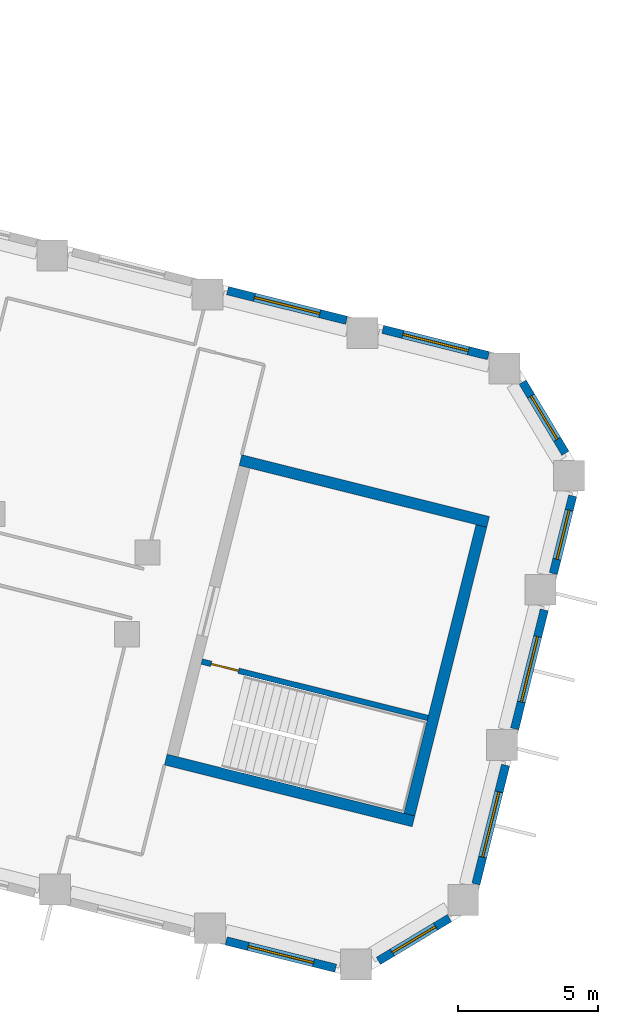
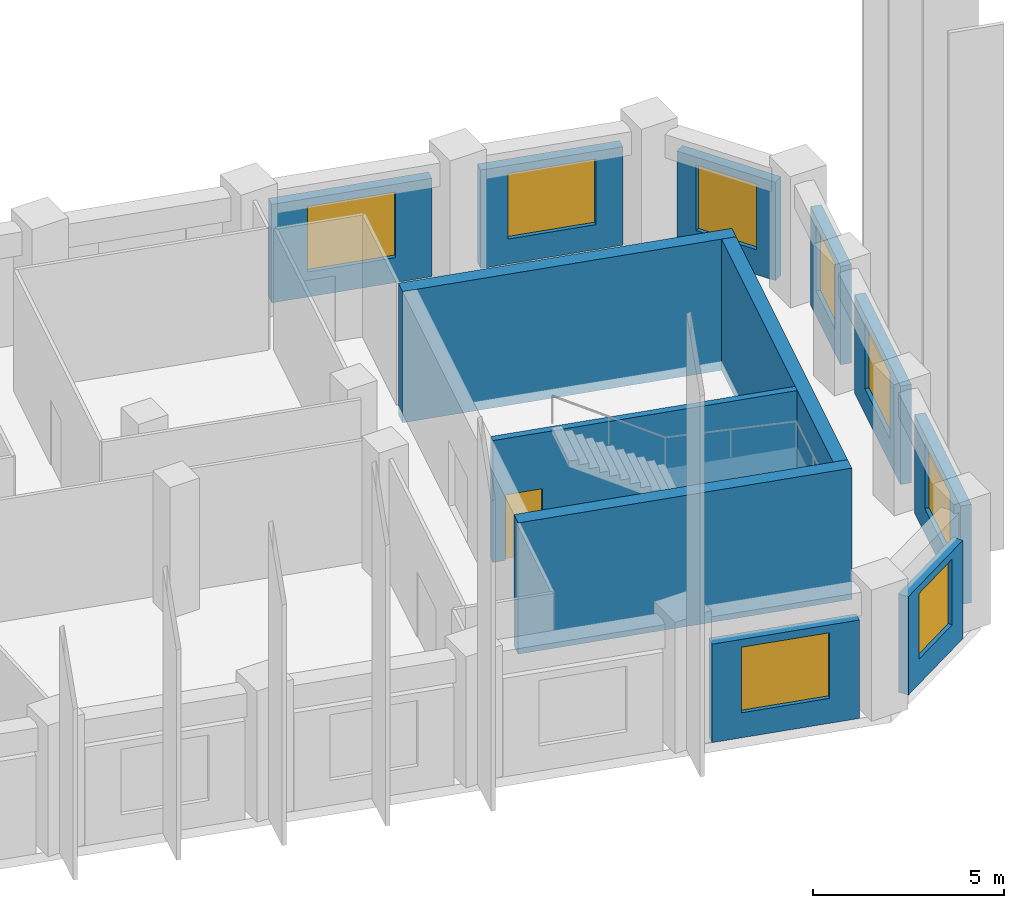
# One storey, part 7 of 10: 12 walls, 8 windows, 1 door, 9 openings.
"""IFC4 building model written with IfcOpenShell, lengths in metres."""

from ifc_helpers import new_model, si_unit, direction, frame, frame_2d, origin, place, context, subcontext, project, spatial, rectangle, extrude, material, layer, layer_set, type_object, element, fill, save


model = new_model("IFC4")

# Units and contexts
model_context = context("Model", 3, precision=1e-05, world=origin(), true_north=direction((0.0, 1.0)))
body_context = subcontext(model_context, "Body", "Model", "MODEL_VIEW")
ifc_project = project(units=[si_unit("LENGTHUNIT", "METRE"), si_unit("AREAUNIT", "SQUARE_METRE"), si_unit("VOLUMEUNIT", "CUBIC_METRE"), si_unit("PLANEANGLEUNIT", "RADIAN"), si_unit("MASSUNIT", "GRAM", prefix="KILO")], contexts=[model_context])

# Site, building, storey
site_placement = place(None, origin())
site = spatial("IfcSite", under=ifc_project, at=site_placement, CompositionType="ELEMENT")
building_placement = place(site_placement, origin())
building = spatial("IfcBuilding", under=site, at=building_placement, Name="Meshkara Civic Tower", CompositionType="ELEMENT")
storey_placement = place(building_placement, frame((0.0, 0.0, 259.199951171875)))
storey = spatial("IfcBuildingStorey", under=building, at=storey_placement, Name="L59", CompositionType="ELEMENT", Elevation=259.199951171875)

# Wall, opening, window
ifc_material_1 = material(Name="Insulated infill panel with bronze anodised aluminium cladding", Category="aluminium")
ifc_layer_1 = layer(ifc_material_1, 0.300048828125)
ifc_layer_set_1 = layer_set([ifc_layer_1], Name="EXTERNAL INFILL WALL 300")
wall_type_1 = type_object("IfcWallType", Name="EXTERNAL INFILL WALL 300", PredefinedType="SOLIDWALL", material=ifc_layer_set_1)
wall_1_placement = place(storey_placement, frame((71.02001953125, 5.635986328125, 0.0), z_axis=(0.0, 0.0, 1.0), x_axis=(-0.970297701374, 0.241913973777, 0.0)))
wall_1 = element("IfcWall", 1, at=wall_1_placement, inside=storey, type_object=wall_type_1, Name="External wall", PredefinedType="SOLIDWALL", context=body_context, shape_type="SweptSolid", body=[
    extrude(rectangle(XDim=3.88134765625, YDim=0.300048828125, at=frame_2d((1.940673828125, 0.0))), origin(), (0.0, 0.0, 1.0), 3.150146484375),
])
opening_1_placement = place(wall_1_placement, frame((0.740966796875, 0.0, 0.800048828125)))
opening_1 = element("IfcOpeningElement", 2, at=opening_1_placement, cuts=wall_1, Name="Opening W7", PredefinedType="OPENING", context=body_context, shape_type="SweptSolid", body=[
    extrude(rectangle(XDim=2.39990234375, YDim=2.10009765625, at=frame_2d((1.199951171875, 1.050048828125))), frame((0.0, 0.159912109375, 0.0), z_axis=(0.0, -1.0, 0.0), x_axis=(1.0, 0.0, 0.0)), (0.0, 0.0, 1.0), 0.320068359375),
])
ifc_material_2 = material(Name="Tinted double glazing", Category="glass")
window_type_1 = type_object("IfcWindowType", Name="WINDOW 2400x2100", PartitioningType="DOUBLE_PANEL_VERTICAL", PredefinedType="WINDOW", material=ifc_material_2)
window_1_placement = place(opening_1_placement, origin())
window_1 = element("IfcWindow", 3, at=window_1_placement, inside=storey, type_object=window_type_1, Name="Window", OverallHeight=2.10009765625, OverallWidth=2.39990234375, PartitioningType="DOUBLE_PANEL_VERTICAL", PredefinedType="WINDOW", context=body_context, shape_type="SweptSolid", body=[
    extrude(rectangle(XDim=2.39990234375, YDim=2.10009765625, at=frame_2d((1.199951171875, 1.050048828125))), frame((0.0, 0.030029296875, 0.0), z_axis=(0.0, -1.0, 0.0), x_axis=(1.0, 0.0, 0.0)), (0.0, 0.0, 1.0), 0.06005859375),
])
fill(opening_1, window_1)

wall_2_placement = place(storey_placement, frame((65.9599609375, 6.89794921875, 0.0), z_axis=(0.0, 0.0, 1.0), x_axis=(-0.970309996763, 0.241864652607, 0.0)))
wall_2 = element("IfcWall", 4, at=wall_2_placement, inside=storey, type_object=wall_type_1, Name="External wall", PredefinedType="SOLIDWALL", context=body_context, shape_type="SweptSolid", body=[
    extrude(rectangle(XDim=4.36669921875, YDim=0.300048828125, at=frame_2d((2.183349609375, 0.0))), origin(), (0.0, 0.0, 1.0), 3.150146484375),
])
opening_2_placement = place(wall_2_placement, frame((0.98291015625, 0.0, 0.800048828125)))
opening_2 = element("IfcOpeningElement", 5, at=opening_2_placement, cuts=wall_2, Name="Opening W7", PredefinedType="OPENING", context=body_context, shape_type="SweptSolid", body=[
    extrude(rectangle(XDim=2.39990234375, YDim=2.10009765625, at=frame_2d((1.199951171875, 1.050048828125))), frame((0.0, 0.159912109375, 0.0), z_axis=(0.0, -1.0, 0.0), x_axis=(1.0, 0.0, 0.0)), (0.0, 0.0, 1.0), 0.320068359375),
])
window_2_placement = place(opening_2_placement, origin())
window_2 = element("IfcWindow", 6, at=window_2_placement, inside=storey, type_object=window_type_1, Name="Window", OverallHeight=2.10009765625, OverallWidth=2.39990234375, PartitioningType="DOUBLE_PANEL_VERTICAL", PredefinedType="WINDOW", context=body_context, shape_type="SweptSolid", body=[
    extrude(rectangle(XDim=2.39990234375, YDim=2.10009765625, at=frame_2d((1.199951171875, 1.050048828125))), frame((0.0, 0.030029296875, 0.0), z_axis=(0.0, -1.0, 0.0), x_axis=(1.0, 0.0, 0.0)), (0.0, 0.0, 1.0), 0.06005859375),
])
fill(opening_2, window_2)

wall_3_placement = place(storey_placement, frame((61.6708984375, -15.220947265625, 0.0), z_axis=(0.0, 0.0, 1.0), x_axis=(0.97026726112, -0.242036034503, 0.0)))
wall_3 = element("IfcWall", 7, at=wall_3_placement, inside=storey, type_object=wall_type_1, Name="External wall", PredefinedType="SOLIDWALL", context=body_context, shape_type="SweptSolid", body=[
    extrude(rectangle(XDim=4.024658203125, YDim=0.300048828125, at=frame_2d((2.01220703125, 0.0))), origin(), (0.0, 0.0, 1.0), 3.150146484375),
])
opening_3_placement = place(wall_3_placement, frame((0.81201171875, 0.0, 0.800048828125)))
opening_3 = element("IfcOpeningElement", 8, at=opening_3_placement, cuts=wall_3, Name="Opening W7", PredefinedType="OPENING", context=body_context, shape_type="SweptSolid", body=[
    extrude(rectangle(XDim=2.39990234375, YDim=2.10009765625, at=frame_2d((1.199951171875, 1.050048828125))), frame((0.0, 0.159912109375, 0.0), z_axis=(0.0, -1.0, 0.0), x_axis=(1.0, 0.0, 0.0)), (0.0, 0.0, 1.0), 0.320068359375),
])
window_3_placement = place(opening_3_placement, origin())
window_3 = element("IfcWindow", 9, at=window_3_placement, inside=storey, type_object=window_type_1, Name="Window", OverallHeight=2.10009765625, OverallWidth=2.39990234375, PartitioningType="DOUBLE_PANEL_VERTICAL", PredefinedType="WINDOW", context=body_context, shape_type="SweptSolid", body=[
    extrude(rectangle(XDim=2.39990234375, YDim=2.10009765625, at=frame_2d((1.199951171875, 1.050048828125))), frame((0.0, 0.030029296875, 0.0), z_axis=(0.0, -1.0, 0.0), x_axis=(1.0, 0.0, 0.0)), (0.0, 0.0, 1.0), 0.06005859375),
])
fill(opening_3, window_3)

wall_4_placement = place(storey_placement, frame((67.097900390625, -15.93408203125, 0.0), z_axis=(0.0, 0.0, 1.0), x_axis=(0.857077006791, 0.515188319384, 0.0)))
wall_4 = element("IfcWall", 10, at=wall_4_placement, inside=storey, type_object=wall_type_1, Name="External wall", PredefinedType="SOLIDWALL", context=body_context, shape_type="SweptSolid", body=[
    extrude(rectangle(XDim=2.9541015625, YDim=0.300048828125, at=frame_2d((1.47705078125, 0.0))), origin(), (0.0, 0.0, 1.0), 3.150146484375),
])
opening_4_placement = place(wall_4_placement, frame((0.576904296875, 0.0, 0.800048828125)))
opening_4 = element("IfcOpeningElement", 11, at=opening_4_placement, cuts=wall_4, Name="Opening W9", PredefinedType="OPENING", context=body_context, shape_type="SweptSolid", body=[
    extrude(rectangle(XDim=1.800048828125, YDim=2.10009765625, at=frame_2d((0.89990234375, 1.050048828125))), frame((0.0, 0.159912109375, 0.0), z_axis=(0.0, -1.0, 0.0), x_axis=(1.0, 0.0, 0.0)), (0.0, 0.0, 1.0), 0.320068359375),
])
ifc_material_3 = material(Name="Tinted double glazing", Category="glass")
window_type_2 = type_object("IfcWindowType", Name="WINDOW 1800x2100", PartitioningType="DOUBLE_PANEL_VERTICAL", PredefinedType="WINDOW", material=ifc_material_3)
window_4_placement = place(opening_4_placement, origin())
window_4 = element("IfcWindow", 12, at=window_4_placement, inside=storey, type_object=window_type_2, Name="Window", OverallHeight=2.10009765625, OverallWidth=1.800048828125, PartitioningType="DOUBLE_PANEL_VERTICAL", PredefinedType="WINDOW", context=body_context, shape_type="SweptSolid", body=[
    extrude(rectangle(XDim=1.800048828125, YDim=2.10009765625, at=frame_2d((0.89990234375, 1.050048828125))), frame((0.0, 0.030029296875, 0.0), z_axis=(0.0, -1.0, 0.0), x_axis=(1.0, 0.0, 0.0)), (0.0, 0.0, 1.0), 0.06005859375),
])
fill(opening_4, window_4)

wall_5_placement = place(storey_placement, frame((70.574951171875, -13.19189453125, 0.0), z_axis=(0.0, 0.0, 1.0), x_axis=(0.241877774353, 0.970306725873, 0.0)))
wall_5 = element("IfcWall", 13, at=wall_5_placement, inside=storey, type_object=wall_type_1, Name="External wall", PredefinedType="SOLIDWALL", context=body_context, shape_type="SweptSolid", body=[
    extrude(rectangle(XDim=4.366455078125, YDim=0.300048828125, at=frame_2d((2.18310546875, 0.0))), origin(), (0.0, 0.0, 1.0), 3.150146484375),
])
opening_5_placement = place(wall_5_placement, frame((0.98291015625, 0.0, 0.800048828125)))
opening_5 = element("IfcOpeningElement", 14, at=opening_5_placement, cuts=wall_5, Name="Opening W7", PredefinedType="OPENING", context=body_context, shape_type="SweptSolid", body=[
    extrude(rectangle(XDim=2.39990234375, YDim=2.10009765625, at=frame_2d((1.199951171875, 1.050048828125))), frame((0.0, 0.159912109375, 0.0), z_axis=(0.0, -1.0, 0.0), x_axis=(1.0, 0.0, 0.0)), (0.0, 0.0, 1.0), 0.320068359375),
])
window_5_placement = place(opening_5_placement, origin())
window_5 = element("IfcWindow", 15, at=window_5_placement, inside=storey, type_object=window_type_1, Name="Window", OverallHeight=2.10009765625, OverallWidth=2.39990234375, PartitioningType="DOUBLE_PANEL_VERTICAL", PredefinedType="WINDOW", context=body_context, shape_type="SweptSolid", body=[
    extrude(rectangle(XDim=2.39990234375, YDim=2.10009765625, at=frame_2d((1.199951171875, 1.050048828125))), frame((0.0, 0.030029296875, 0.0), z_axis=(0.0, -1.0, 0.0), x_axis=(1.0, 0.0, 0.0)), (0.0, 0.0, 1.0), 0.06005859375),
])
fill(opening_5, window_5)

wall_6_placement = place(storey_placement, frame((71.9541015625, -7.660888671875, 0.0), z_axis=(0.0, 0.0, 1.0), x_axis=(0.241877622649, 0.97030676369, 0.0)))
wall_6 = element("IfcWall", 16, at=wall_6_placement, inside=storey, type_object=wall_type_1, Name="External wall", PredefinedType="SOLIDWALL", context=body_context, shape_type="SweptSolid", body=[
    extrude(rectangle(XDim=4.365478515625, YDim=0.300048828125, at=frame_2d((2.1826171875, 0.0))), origin(), (0.0, 0.0, 1.0), 3.150146484375),
])
opening_6_placement = place(wall_6_placement, frame((0.98291015625, 0.0, 0.800048828125)))
opening_6 = element("IfcOpeningElement", 17, at=opening_6_placement, cuts=wall_6, Name="Opening W7", PredefinedType="OPENING", context=body_context, shape_type="SweptSolid", body=[
    extrude(rectangle(XDim=2.39990234375, YDim=2.10009765625, at=frame_2d((1.199951171875, 1.050048828125))), frame((0.0, 0.159912109375, 0.0), z_axis=(0.0, -1.0, 0.0), x_axis=(1.0, 0.0, 0.0)), (0.0, 0.0, 1.0), 0.320068359375),
])
window_6_placement = place(opening_6_placement, origin())
window_6 = element("IfcWindow", 18, at=window_6_placement, inside=storey, type_object=window_type_1, Name="Window", OverallHeight=2.10009765625, OverallWidth=2.39990234375, PartitioningType="DOUBLE_PANEL_VERTICAL", PredefinedType="WINDOW", context=body_context, shape_type="SweptSolid", body=[
    extrude(rectangle(XDim=2.39990234375, YDim=2.10009765625, at=frame_2d((1.199951171875, 1.050048828125))), frame((0.0, 0.030029296875, 0.0), z_axis=(0.0, -1.0, 0.0), x_axis=(1.0, 0.0, 0.0)), (0.0, 0.0, 1.0), 0.06005859375),
])
fill(opening_6, window_6)

wall_7_placement = place(storey_placement, frame((73.3330078125, -2.131103515625, 0.0), z_axis=(0.0, 0.0, 1.0), x_axis=(0.241770612026, 0.970333432981, 0.0)))
wall_7 = element("IfcWall", 19, at=wall_7_placement, inside=storey, type_object=wall_type_1, Name="External wall", PredefinedType="SOLIDWALL", context=body_context, shape_type="SweptSolid", body=[
    extrude(rectangle(XDim=2.853759765625, YDim=0.300048828125, at=frame_2d((1.4267578125, 0.0))), origin(), (0.0, 0.0, 1.0), 3.150146484375),
])
opening_7_placement = place(wall_7_placement, frame((0.527099609375, 0.0, 0.800048828125)))
opening_7 = element("IfcOpeningElement", 20, at=opening_7_placement, cuts=wall_7, Name="Opening W9", PredefinedType="OPENING", context=body_context, shape_type="SweptSolid", body=[
    extrude(rectangle(XDim=1.800048828125, YDim=2.10009765625, at=frame_2d((0.89990234375, 1.050048828125))), frame((0.0, 0.159912109375, 0.0), z_axis=(0.0, -1.0, 0.0), x_axis=(1.0, 0.0, 0.0)), (0.0, 0.0, 1.0), 0.320068359375),
])
window_7_placement = place(opening_7_placement, origin())
window_7 = element("IfcWindow", 21, at=window_7_placement, inside=storey, type_object=window_type_2, Name="Window", OverallHeight=2.10009765625, OverallWidth=1.800048828125, PartitioningType="DOUBLE_PANEL_VERTICAL", PredefinedType="WINDOW", context=body_context, shape_type="SweptSolid", body=[
    extrude(rectangle(XDim=1.800048828125, YDim=2.10009765625, at=frame_2d((0.89990234375, 1.050048828125))), frame((0.0, 0.030029296875, 0.0), z_axis=(0.0, -1.0, 0.0), x_axis=(1.0, 0.0, 0.0)), (0.0, 0.0, 1.0), 0.06005859375),
])
fill(opening_7, window_7)

wall_8_placement = place(storey_placement, frame((73.761962890625, 2.159912109375, 0.0), z_axis=(0.0, 0.0, 1.0), x_axis=(-0.515334317037, 0.856989230786, 0.0)))
wall_8 = element("IfcWall", 22, at=wall_8_placement, inside=storey, type_object=wall_type_1, Name="External wall", PredefinedType="SOLIDWALL", context=body_context, shape_type="SweptSolid", body=[
    extrude(rectangle(XDim=2.953369140625, YDim=0.300048828125, at=frame_2d((1.4765625, 0.0))), origin(), (0.0, 0.0, 1.0), 3.150146484375),
])
opening_8_placement = place(wall_8_placement, frame((0.576904296875, 0.0, 0.800048828125)))
opening_8 = element("IfcOpeningElement", 23, at=opening_8_placement, cuts=wall_8, Name="Opening W9", PredefinedType="OPENING", context=body_context, shape_type="SweptSolid", body=[
    extrude(rectangle(XDim=1.800048828125, YDim=2.10009765625, at=frame_2d((0.89990234375, 1.050048828125))), frame((0.0, 0.159912109375, 0.0), z_axis=(0.0, -1.0, 0.0), x_axis=(1.0, 0.0, 0.0)), (0.0, 0.0, 1.0), 0.320068359375),
])
window_8_placement = place(opening_8_placement, origin())
window_8 = element("IfcWindow", 24, at=window_8_placement, inside=storey, type_object=window_type_2, Name="Window", OverallHeight=2.10009765625, OverallWidth=1.800048828125, PartitioningType="DOUBLE_PANEL_VERTICAL", PredefinedType="WINDOW", context=body_context, shape_type="SweptSolid", body=[
    extrude(rectangle(XDim=1.800048828125, YDim=2.10009765625, at=frame_2d((0.89990234375, 1.050048828125))), frame((0.0, 0.030029296875, 0.0), z_axis=(0.0, -1.0, 0.0), x_axis=(1.0, 0.0, 0.0)), (0.0, 0.0, 1.0), 0.06005859375),
])
fill(opening_8, window_8)

# Walls
ifc_material_4 = material(Name="Concrete C60", Category="concrete")
ifc_layer_2 = layer(ifc_material_4, 0.39990234375)
ifc_layer_set_2 = layer_set([ifc_layer_2], Name="End core ring wall 400 C60")
wall_type_2 = type_object("IfcWallType", Name="End core ring wall 400 C60", PredefinedType="SHEAR", material=ifc_layer_set_2)
wall_9_placement = place(storey_placement, frame((59.51904296875, -8.759033203125, -0.300048828125), z_axis=(0.0, 0.0, 1.0), x_axis=(0.970287509026, -0.241954850805, 0.0)))
element("IfcWall", 25, at=wall_9_placement, inside=storey, type_object=wall_type_2, Name="L59-C028", PredefinedType="SHEAR", context=body_context, shape_type="SweptSolid", body=[
    extrude(rectangle(XDim=9.1005859375, YDim=0.39990234375, at=frame_2d((4.55029296875, 0.0))), origin(), (0.0, 0.0, 1.0), 4.2001953125),
])
wall_10_placement = place(storey_placement, frame((62.179931640625, 1.9140625, -0.300048828125), z_axis=(0.0, 0.0, 1.0), x_axis=(0.970306400786, -0.241879078453, 0.0)))
element("IfcWall", 26, at=wall_10_placement, inside=storey, type_object=wall_type_2, Name="L59-C029", PredefinedType="SHEAR", context=body_context, shape_type="SweptSolid", body=[
    extrude(rectangle(XDim=9.100341796875, YDim=0.39990234375, at=frame_2d((4.55029296875, 0.0))), origin(), (0.0, 0.0, 1.0), 4.2001953125),
])
wall_11_placement = place(storey_placement, frame((68.202880859375, -10.718017578125, -0.300048828125), z_axis=(0.0, 0.0, 1.0), x_axis=(0.241912337509, 0.970298109326, 0.0)))
element("IfcWall", 27, at=wall_11_placement, inside=storey, type_object=wall_type_2, Name="L59-C031", PredefinedType="SHEAR", context=body_context, shape_type="SweptSolid", body=[
    extrude(rectangle(XDim=10.599853515625, YDim=0.39990234375, at=frame_2d((5.2998046875, 0.0))), origin(), (0.0, 0.0, 1.0), 4.2001953125),
])

# Wall, opening, door
ifc_material_5 = material(Name="Concrete C40/50", Category="concrete")
ifc_layer_3 = layer(ifc_material_5, 0.199951171875)
ifc_layer_set_3 = layer_set([ifc_layer_3], Name="Stair enclosure wall 200 C40/50")
wall_type_3 = type_object("IfcWallType", Name="Stair enclosure wall 200 C40/50", PredefinedType="SOLIDWALL", material=ifc_layer_set_3)
wall_12_placement = place(storey_placement, frame((60.802001953125, -5.26611328125, 0.0), z_axis=(0.0, 0.0, 1.0), x_axis=(0.970303192681, -0.241891947516, 0.0)))
wall_12 = element("IfcWall", 28, at=wall_12_placement, inside=storey, type_object=wall_type_3, Name="L59-C032", PredefinedType="SOLIDWALL", context=body_context, shape_type="SweptSolid", body=[
    extrude(rectangle(XDim=8.300537109375, YDim=0.199951171875, at=frame_2d((4.150390625, 0.0))), origin(), (0.0, 0.0, 1.0), 3.900146484375),
])
opening_9_placement = place(wall_12_placement, frame((0.35009765625, 0.0, 0.0)))
opening_9 = element("IfcOpeningElement", 29, at=opening_9_placement, cuts=wall_12, Name="Opening L59-K201", PredefinedType="OPENING", context=body_context, shape_type="SweptSolid", body=[
    extrude(rectangle(XDim=1.0, YDim=2.10009765625, at=frame_2d((0.5, 1.050048828125))), frame((0.0, 0.10986328125, 0.0), z_axis=(0.0, -1.0, 0.0), x_axis=(1.0, 0.0, 0.0)), (0.0, 0.0, 1.0), 0.219970703125),
])
ifc_material_6 = material(Name="Fire-rated door leaf in steel frame", Category="steel")
door_type = type_object("IfcDoorType", Name="Stair door 1000 EI 120", OperationType="SINGLE_SWING_LEFT", PredefinedType="DOOR", material=ifc_material_6)
door_placement = place(opening_9_placement, origin())
door = element("IfcDoor", 30, at=door_placement, inside=storey, type_object=door_type, Name="L59-K201", OperationType="SINGLE_SWING_LEFT", OverallHeight=2.10009765625, OverallWidth=1.0, PredefinedType="DOOR", context=body_context, shape_type="SweptSolid", body=[
    extrude(rectangle(XDim=1.0, YDim=2.10009765625, at=frame_2d((0.5, 1.050048828125))), frame((0.0, 0.02490234375, 0.0), z_axis=(0.0, -1.0, 0.0), x_axis=(1.0, 0.0, 0.0)), (0.0, 0.0, 1.0), 0.050048828125),
])
fill(opening_9, door)

save(model, "model.ifc")
